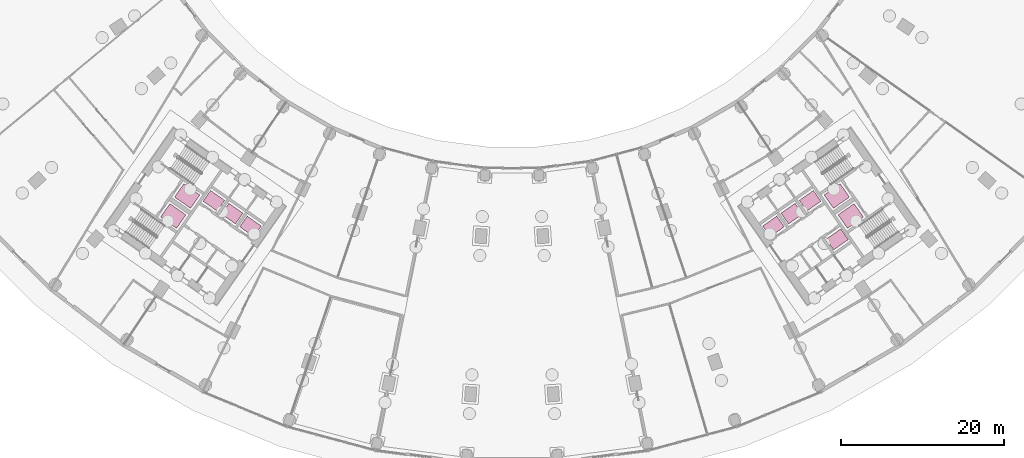
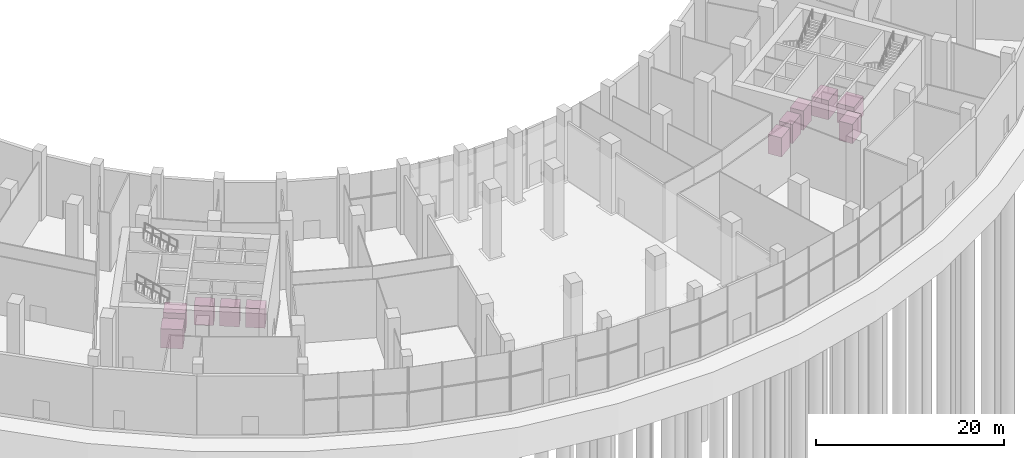
# One storey, part 23 of 23: 11 transport elements.
"""IFC4 building model written with IfcOpenShell, lengths in metres."""

import ifcopenshell
import ifcopenshell.guid

model = None  # the IFC model being written
_history = None  # IfcOwnerHistory: only IFC2X3 demands one
_inside = {}  # id of a spatial element -> (the spatial element, [elements in it])
_under = {}  # id of a project, library or spatial element -> (it, [spatial elements below it])
_declared = {}  # id of a project -> (the project, [libraries it declares])
_typed = {}  # id of a type object -> (the type object, [elements of that type])
_made_of = {}  # id of a material, layer set ... -> (it, [elements and type objects made of it])


def new_model(schema):
    """Start an empty IFC model of exactly this schema.

    Asked for "IFC4X3", IfcOpenShell would pick the latest addendum, in which some entities
    have other attributes; the version numbers below select the first issue.
    IFC2X3 requires an IfcOwnerHistory on every rooted entity: one is made here for all.
    """
    global model, _history
    if schema == "IFC4X3":
        model = ifcopenshell.file(schema_version=(4, 3, 0, 0))
    else:
        model = ifcopenshell.file(schema=schema)
    _inside.clear()
    _under.clear()
    _declared.clear()
    _typed.clear()
    _made_of.clear()
    _history = None
    if model.schema == "IFC2X3":
        org = make("IfcOrganization", Name="unknown")
        user = make(
            "IfcPersonAndOrganization",
            ThePerson=make("IfcPerson", FamilyName="unknown"),
            TheOrganization=org,
        )
        app = make(
            "IfcApplication",
            ApplicationDeveloper=org,
            Version="unknown",
            ApplicationFullName="unknown",
            ApplicationIdentifier="unknown",
        )
        _history = make(
            "IfcOwnerHistory",
            OwningUser=user,
            OwningApplication=app,
            ChangeAction="ADDED",
            CreationDate=0,
        )
    return model


def make(cls, **values):
    """One entity of the class cls with the attributes given. An attribute that is None is left unset."""
    return model.create_entity(
        cls, **{name: value for name, value in values.items() if value is not None}
    )


def rooted(cls, **values):
    """An entity with a GlobalId (a new one), such as an element, a storey or a relation."""
    return make(cls, GlobalId=ifcopenshell.guid.new(), OwnerHistory=_history, **values)


def si_unit(unit_type, name, prefix=None):
    """IfcSIUnit, for example si_unit("LENGTHUNIT", "METRE", prefix="MILLI")."""
    return make("IfcSIUnit", UnitType=unit_type, Prefix=prefix, Name=name)


def assignment(units):
    """IfcUnitAssignment: the units of a project."""
    return None if units is None else make("IfcUnitAssignment", Units=units)


def point(xyz):
    """IfcCartesianPoint."""
    return None if xyz is None else make("IfcCartesianPoint", Coordinates=xyz)


def direction(xyz):
    """IfcDirection."""
    return None if xyz is None else make("IfcDirection", DirectionRatios=xyz)


def frame(location, z_axis=None, x_axis=None):
    """IfcAxis2Placement3D, a coordinate frame: its origin and axes. An axis left out is left unset."""
    return make(
        "IfcAxis2Placement3D",
        Location=point(location),
        Axis=direction(z_axis),
        RefDirection=direction(x_axis),
    )


def frame_2d(location, x_axis=None):
    """IfcAxis2Placement2D, a coordinate frame in the plane: its origin and x axis."""
    return make(
        "IfcAxis2Placement2D", Location=point(location), RefDirection=direction(x_axis)
    )


def origin():
    """The frame at (0, 0, 0) with its axes left unset."""
    return frame((0.0, 0.0, 0.0))


def origin_2d():
    """The frame at (0, 0) in the plane with its x axis left unset."""
    return frame_2d((0.0, 0.0))


def place(relative_to, where):
    """IfcLocalPlacement: puts the frame where relative to a parent placement (None: the world)."""
    return make(
        "IfcLocalPlacement", PlacementRelTo=relative_to, RelativePlacement=where
    )


def context(
    kind, dimensions, precision=None, world=None, true_north=None, identifier=None
):
    """IfcGeometricRepresentationContext, for example the 3D "Model" context."""
    return make(
        "IfcGeometricRepresentationContext",
        ContextIdentifier=identifier,
        ContextType=kind,
        CoordinateSpaceDimension=dimensions,
        Precision=precision,
        WorldCoordinateSystem=world,
        TrueNorth=true_north,
    )


def subcontext(parent, identifier, kind, view, scale=None):
    """IfcGeometricRepresentationSubContext, for example "Body" below "Model"."""
    return make(
        "IfcGeometricRepresentationSubContext",
        ContextIdentifier=identifier,
        ContextType=kind,
        ParentContext=parent,
        TargetScale=scale,
        TargetView=view,
    )


def project(units=None, contexts=None):
    """IfcProject with its units and contexts."""
    return rooted(
        "IfcProject",
        Name="project",
        RepresentationContexts=contexts,
        UnitsInContext=assignment(units),
    )


def spatial(cls, under=None, at=None, **own):
    """A site, building, storey or space (cls), placed at a placement, below another one or the project."""
    s = rooted(cls, ObjectPlacement=at, **own)
    if under is not None:
        _under.setdefault(under.id(), (under, []))[1].append(s)
    return s


def profile(cls, at=None, kind="AREA", **sizes):
    """A parametric profile (cls). Its sizes go by their IFC names, for example OverallWidth=200.0."""
    return make(cls, ProfileType=kind, Position=at, **sizes)


def rectangle(**sizes):
    """IfcRectangleProfileDef."""
    return profile("IfcRectangleProfileDef", **sizes)


def extrude(swept, where, along, depth):
    """IfcExtrudedAreaSolid: the profile swept, set in the frame where, extruded along a direction by depth."""
    return make(
        "IfcExtrudedAreaSolid",
        SweptArea=swept,
        Position=where,
        ExtrudedDirection=direction(along),
        Depth=depth,
    )


def shape(context_of_items, identifier, shape_type, items):
    """IfcShapeRepresentation: the items that make up one representation, for example the "Body"."""
    return make(
        "IfcShapeRepresentation",
        ContextOfItems=context_of_items,
        RepresentationIdentifier=identifier,
        RepresentationType=shape_type,
        Items=items,
    )


def material(Name=None, Category=None):
    """IfcMaterial."""
    return make("IfcMaterial", Name=Name, Category=Category)


def made_of(thing, what):
    """Note that an element or type object is made of a material, layer set ...; save() writes the relation."""
    if what is not None:
        _made_of.setdefault(what.id(), (what, []))[1].append(thing)
    return thing


def type_object(cls, material=None, **own):
    """A type object (cls), such as IfcWallType, which elements share."""
    return made_of(rooted(cls, **own), material)


def element(
    cls,
    number,
    at=None,
    inside=None,
    cuts=None,
    type_object=None,
    material=None,
    context=None,
    identifier="Body",
    shape_type=None,
    held_by="IfcProductDefinitionShape",
    body=None,
    shapes=None,
    **own,
):
    """One element of the class cls, such as IfcWall. Its Tag is "e" and its number.

    at: its placement. inside: the storey or other place that contains it. cuts: it is an
    opening in that element (IfcRelVoidsElement). A single representation is given by context,
    identifier, shape_type and body (its items); several are given by shapes. held_by: the class
    of the entity that holds the representations. save() writes the other relations.
    """
    e = rooted(cls, Tag="e%d" % number, ObjectPlacement=at, **own)
    if body is not None:
        shapes = [shape(context, identifier, shape_type, body)]
    if shapes is not None:
        e.Representation = make(held_by, Representations=shapes)
    if inside is not None:
        _inside.setdefault(inside.id(), (inside, []))[1].append(e)
    if cuts is not None:
        rooted(
            "IfcRelVoidsElement", RelatingBuildingElement=cuts, RelatedOpeningElement=e
        )
    if type_object is not None:
        _typed.setdefault(type_object.id(), (type_object, []))[1].append(e)
    return made_of(e, material)


def aggregate(whole, parts):
    """IfcRelAggregates: a whole, such as a stair, and the parts it consists of."""
    return rooted("IfcRelAggregates", RelatingObject=whole, RelatedObjects=parts)


def save(model, path):
    """Write the relations noted so far, then the file.

    IfcRelAggregates (storeys below a building ...), IfcRelContainedInSpatialStructure (elements
    in a storey), IfcRelDefinesByType, IfcRelAssociatesMaterial and IfcRelDeclares: one each for
    every whole, place, type object, material and project.
    """
    for whole, parts in _under.values():
        aggregate(whole, parts)
    for where, things in _inside.values():
        rooted(
            "IfcRelContainedInSpatialStructure",
            RelatedElements=things,
            RelatingStructure=where,
        )
    for kind, things in _typed.values():
        rooted("IfcRelDefinesByType", RelatedObjects=things, RelatingType=kind)
    for what, things in _made_of.values():
        rooted("IfcRelAssociatesMaterial", RelatedObjects=things, RelatingMaterial=what)
    for by, libraries in _declared.values():
        rooted("IfcRelDeclares", RelatingContext=by, RelatedDefinitions=libraries)
    model.write(path)


model = new_model("IFC4")

# Units and contexts
model_context = context("Model", 3, precision=1e-05, world=origin(), true_north=direction((0.0, 1.0)))
body_context = subcontext(model_context, "Body", "Model", "MODEL_VIEW")
ifc_project = project(units=[si_unit("LENGTHUNIT", "METRE"), si_unit("AREAUNIT", "SQUARE_METRE"), si_unit("VOLUMEUNIT", "CUBIC_METRE"), si_unit("PLANEANGLEUNIT", "RADIAN"), si_unit("MASSUNIT", "GRAM", prefix="KILO")], contexts=[model_context])

# Site, building, storey
site_placement = place(None, origin())
site = spatial("IfcSite", under=ifc_project, at=site_placement, CompositionType="ELEMENT")
building_placement = place(site_placement, origin())
building = spatial("IfcBuilding", under=site, at=building_placement, Name="Qamariyya Broadcast Tower", CompositionType="ELEMENT")
storey_placement = place(building_placement, origin())
storey = spatial("IfcBuildingStorey", under=building, at=storey_placement, Name="L00", CompositionType="ELEMENT", Elevation=0.0)

# Transport elements
ifc_material = material(Name="Stainless steel", Category="steel")
transport_element_type_1 = type_object("IfcTransportElementType", Name="Lift car LF1", PredefinedType="ELEVATOR", material=ifc_material)
for number, where, z_axis, x_axis, name in (
    (1, (-32.18115234375, -56.93896484375, 0.050048828125), (0.0, 0.0, 1.0), (-0.819152044289, 0.573576436351, 0.0), "Lift LR1"),
    (2, (-34.433837890625, -55.36181640625, 0.050048828125), (0.0, 0.0, 1.0), (-0.819152044289, 0.573576436351, 0.0), "Lift LR2"),
    (3, (-36.686279296875, -53.7841796875, 0.050048828125), (0.0, 0.0, 1.0), (-0.819152044289, 0.573576436351, 0.0), "Lift SH1"),
    (4, (32.18115234375, -56.93896484375, 0.050048828125), (0.0, 0.0, 1.0), (0.819152044289, 0.573576436351, 0.0), "Lift LR3"),
    (5, (34.433837890625, -55.36181640625, 0.050048828125), (0.0, 0.0, 1.0), (0.819152044289, 0.573576436351, 0.0), "Lift LR4"),
    (6, (36.686279296875, -53.7841796875, 0.050048828125), (0.0, 0.0, 1.0), (0.819152044289, 0.573576436351, 0.0), "Lift SH2"),
):
    element("IfcTransportElement", number, at=place(storey_placement, frame(where, z_axis=z_axis, x_axis=x_axis)), inside=storey, type_object=transport_element_type_1, Name=name, PredefinedType="ELEVATOR", context=body_context, shape_type="SweptSolid", body=[
        extrude(rectangle(XDim=2.10009765625, YDim=1.60009765625, at=origin_2d()), origin(), (0.0, 0.0, 1.0), 2.5),
    ])
transport_element_type_2 = type_object("IfcTransportElementType", Name="Lift car LF3", PredefinedType="ELEVATOR", material=ifc_material)
transport_element_placement = place(storey_placement, frame((40.01318359375, -58.535400390625, 0.050048828125), z_axis=(0.0, 0.0, 1.0), x_axis=(0.819152044289, 0.573576436351, 0.0)))
element("IfcTransportElement", 7, at=transport_element_placement, inside=storey, type_object=transport_element_type_2, Name="Lift OX1", PredefinedType="ELEVATOR", context=body_context, shape_type="SweptSolid", body=[
    extrude(rectangle(XDim=2.199951171875, YDim=1.60009765625, at=origin_2d()), origin(), (0.0, 0.0, 1.0), 2.5),
])
transport_element_type_3 = type_object("IfcTransportElementType", Name="Lift car LF4", PredefinedType="ELEVATOR", material=ifc_material)
for number, where, z_axis, x_axis, name in (
    (8, (-41.68798828125, -55.653564453125, 0.050048828125), (0.0, 0.0, 1.0), (-0.819152044289, 0.573576436351, 0.0), "Lift FL1"),
    (9, (41.68798828125, -55.653564453125, 0.050048828125), (0.0, 0.0, 1.0), (0.819152044289, 0.573576436351, 0.0), "Lift FL2"),
):
    element("IfcTransportElement", number, at=place(storey_placement, frame(where, z_axis=z_axis, x_axis=x_axis)), inside=storey, type_object=transport_element_type_3, Name=name, PredefinedType="ELEVATOR", context=body_context, shape_type="SweptSolid", body=[
        extrude(rectangle(XDim=2.39990234375, YDim=2.0, at=origin_2d()), origin(), (0.0, 0.0, 1.0), 2.5),
    ])
transport_element_type_4 = type_object("IfcTransportElementType", Name="Lift car LF5", PredefinedType="ELEVATOR", material=ifc_material)
for number, where, z_axis, x_axis, name in (
    (10, (-39.96728515625, -53.196044921875, 0.050048828125), (0.0, 0.0, 1.0), (-0.819152044289, 0.573576436351, 0.0), "Lift SL1"),
    (11, (39.96728515625, -53.196044921875, 0.050048828125), (0.0, 0.0, 1.0), (0.819152044289, 0.573576436351, 0.0), "Lift SL2"),
):
    element("IfcTransportElement", number, at=place(storey_placement, frame(where, z_axis=z_axis, x_axis=x_axis)), inside=storey, type_object=transport_element_type_4, Name=name, PredefinedType="ELEVATOR", context=body_context, shape_type="SweptSolid", body=[
        extrude(rectangle(XDim=2.39990234375, YDim=2.0, at=origin_2d()), origin(), (0.0, 0.0, 1.0), 2.5),
    ])

save(model, "model.ifc")
